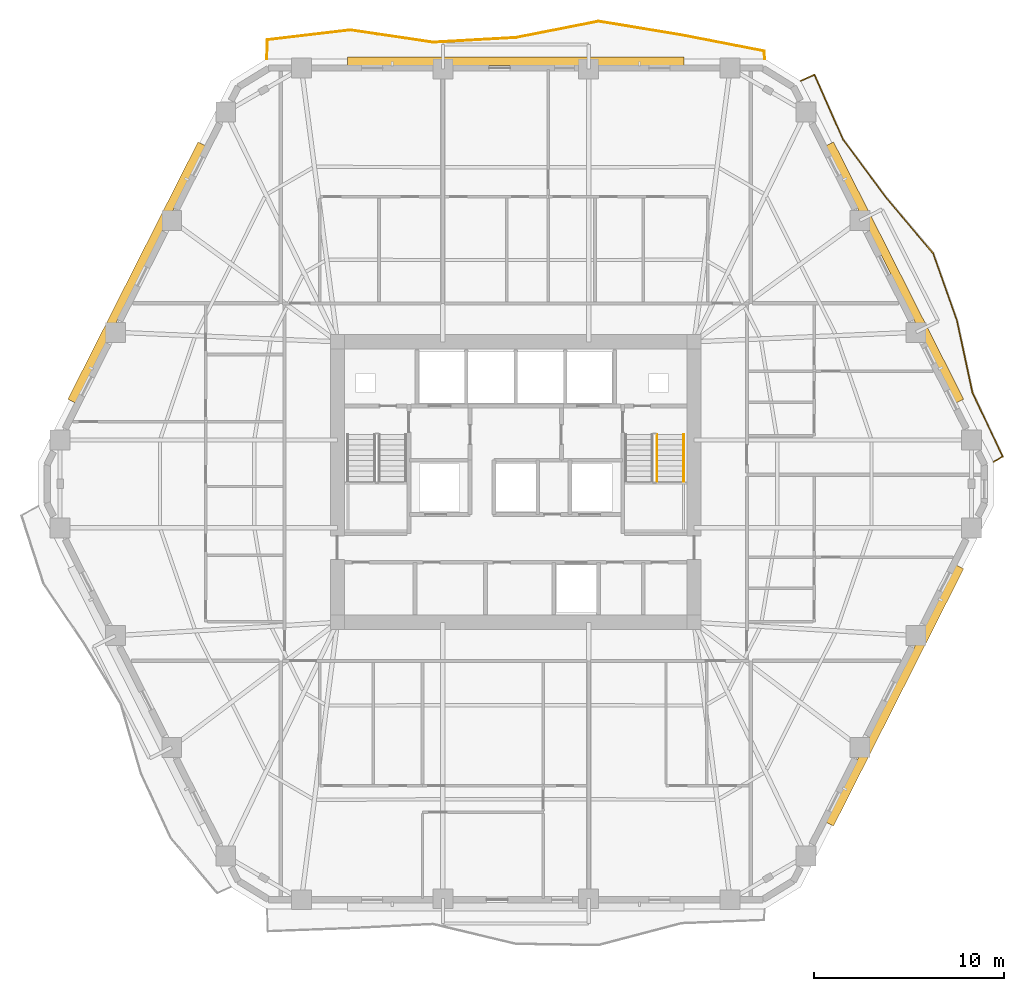
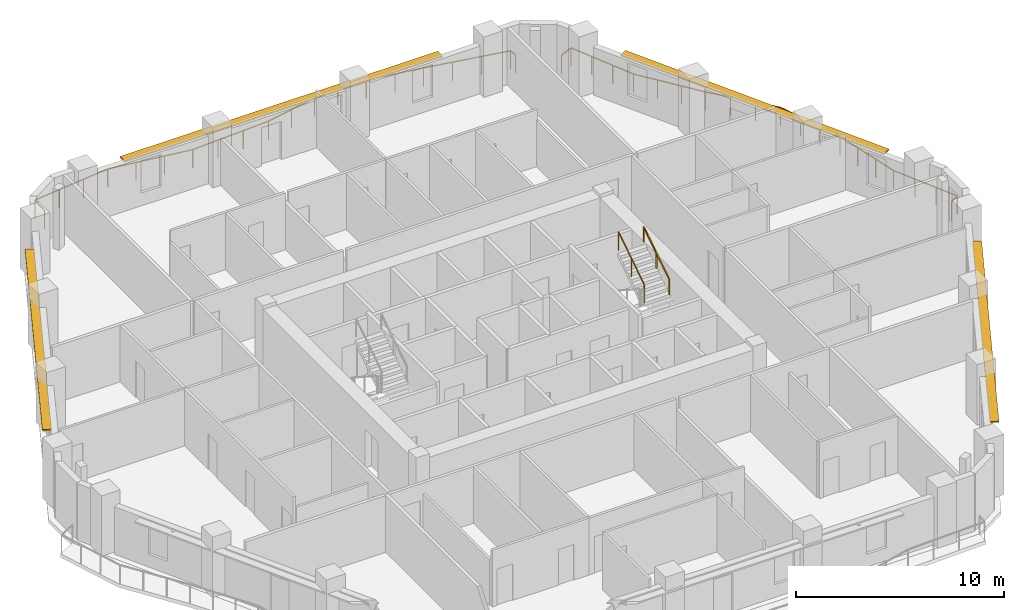
# One storey, part 12 of 12: 4 railings, 4 shading devices.
"""IFC4 building model written with IfcOpenShell, lengths in metres."""

from ifc_helpers import new_model, si_unit, direction, frame, origin, origin_2d, place, context, subcontext, project, spatial, rectangle, extrude, material, layer, layer_set, type_object, element, save


model = new_model("IFC4")

# Units and contexts
model_context = context("Model", 3, precision=1e-05, world=origin(), true_north=direction((0.0, 1.0)))
body_context = subcontext(model_context, "Body", "Model", "MODEL_VIEW")
ifc_project = project(units=[si_unit("LENGTHUNIT", "METRE"), si_unit("AREAUNIT", "SQUARE_METRE"), si_unit("VOLUMEUNIT", "CUBIC_METRE"), si_unit("PLANEANGLEUNIT", "RADIAN"), si_unit("MASSUNIT", "GRAM", prefix="KILO")], contexts=[model_context])

# Site, building, storey
site_placement = place(None, origin())
site = spatial("IfcSite", under=ifc_project, at=site_placement, CompositionType="ELEMENT")
building_placement = place(site_placement, origin())
building = spatial("IfcBuilding", under=site, at=building_placement, Name="Cinnabar Lancet Tower", CompositionType="ELEMENT")
storey_placement = place(building_placement, frame((0.0, 0.0, 109.050048828125)))
storey = spatial("IfcBuildingStorey", under=building, at=storey_placement, Name="L28", CompositionType="ELEMENT", Elevation=109.050048828125)

# Railings
ifc_material_1 = material(Name="Laminated safety glass and bronze stainless steel balustrade", Category="steel")
railing_type_1 = type_object("IfcRailingType", Name="ENV-RLG-BAL-1100", PredefinedType="BALUSTRADE", material=ifc_material_1)
railing_1_placement = place(storey_placement, frame((57.512939453125, 26.9599609375, 0.0)))
element("IfcRailing", 1, at=railing_1_placement, inside=storey, type_object=railing_type_1, Name="L28 Face 3 Wave Balcony Balustrade", PredefinedType="BALUSTRADE", context=body_context, shape_type="SweptSolid", body=[
    extrude(rectangle(XDim=0.048095703125, YDim=0.048095703125, at=origin_2d()), frame((0.0, 0.0, 1.076171875), z_axis=(0.868001583081, 0.496561427991, 0.0), x_axis=(-0.496561427991, 0.868001583081, 0.0)), (0.0, 0.0, 1.0), 0.56005859375),
    extrude(rectangle(XDim=0.048095703125, YDim=0.048095703125, at=origin_2d()), frame((0.486083984375, 0.278076171875, 1.076171875), z_axis=(-0.426530846089, 0.904473016366, 0.0), x_axis=(-0.904473016366, -0.426530846089, 0.0)), (0.0, 0.0, 1.0), 3.732421875),
    extrude(rectangle(XDim=0.048095703125, YDim=0.048095703125, at=origin_2d()), frame((-1.10595703125, 3.654052734375, 1.076171875), z_axis=(-0.20996988102, 0.97770785466, 0.0), x_axis=(-0.97770785466, -0.20996988102, 0.0)), (0.0, 0.0, 1.0), 3.85791015625),
    extrude(rectangle(XDim=0.048095703125, YDim=0.048095703125, at=origin_2d()), frame((-1.916015625, 7.426025390625, 1.076171875), z_axis=(-0.334015416849, 0.942567611, 0.0), x_axis=(-0.942567611, -0.334015416849, 0.0)), (0.0, 0.0, 1.0), 3.759765625),
    extrude(rectangle(XDim=0.048095703125, YDim=0.048095703125, at=origin_2d()), frame((-3.171875, 10.969970703125, 1.076171875), z_axis=(-0.645596897677, 0.763678365354, 0.0), x_axis=(-0.763678365354, -0.645596897677, 0.0)), (0.0, 0.0, 1.0), 3.835205078125),
    extrude(rectangle(XDim=0.048095703125, YDim=0.048095703125, at=origin_2d()), frame((-5.64794921875, 13.89892578125, 1.076171875), z_axis=(-0.595449644763, 0.803392631626, 0.0), x_axis=(-0.803392631626, -0.595449644763, 0.0)), (0.0, 0.0, 1.0), 3.78515625),
    extrude(rectangle(XDim=0.048095703125, YDim=0.048095703125, at=origin_2d()), frame((-7.90185546875, 16.93994140625, 1.076171875), z_axis=(-0.404519672495, 0.914529296723, 0.0), x_axis=(-0.914529296723, -0.404519672495, 0.0)), (0.0, 0.0, 1.0), 3.73779296875),
    extrude(rectangle(XDim=0.048095703125, YDim=0.048095703125, at=origin_2d()), frame((-9.413818359375, 20.358154296875, 1.076171875), z_axis=(-0.910006949039, -0.414592996444, 0.0), x_axis=(0.414592996444, -0.910006949039, 0.0)), (0.0, 0.0, 1.0), 0.79150390625),
    extrude(rectangle(XDim=0.0419921875, YDim=0.0419921875, at=origin_2d()), origin(), (0.0, 0.0, 1.0), 1.052001953125),
    extrude(rectangle(XDim=0.0419921875, YDim=0.0419921875, at=origin_2d()), frame((0.486083984375, 0.278076171875, 0.0)), (0.0, 0.0, 1.0), 1.052001953125),
    extrude(rectangle(XDim=0.0419921875, YDim=0.0419921875, at=origin_2d()), frame((-0.044677734375, 1.4033203125, 0.0)), (0.0, 0.0, 1.0), 1.052001953125),
    extrude(rectangle(XDim=0.0419921875, YDim=0.0419921875, at=origin_2d()), frame((-0.5751953125, 2.52880859375, 0.0)), (0.0, 0.0, 1.0), 1.052001953125),
    extrude(rectangle(XDim=0.0419921875, YDim=0.0419921875, at=origin_2d()), frame((-1.10595703125, 3.654052734375, 0.0)), (0.0, 0.0, 1.0), 1.052001953125),
    extrude(rectangle(XDim=0.0419921875, YDim=0.0419921875, at=origin_2d()), frame((-1.3759765625, 4.911376953125, 0.0)), (0.0, 0.0, 1.0), 1.052001953125),
    extrude(rectangle(XDim=0.0419921875, YDim=0.0419921875, at=origin_2d()), frame((-1.64599609375, 6.168701171875, 0.0)), (0.0, 0.0, 1.0), 1.052001953125),
    extrude(rectangle(XDim=0.0419921875, YDim=0.0419921875, at=origin_2d()), frame((-1.916015625, 7.426025390625, 0.0)), (0.0, 0.0, 1.0), 1.052001953125),
    extrude(rectangle(XDim=0.0419921875, YDim=0.0419921875, at=origin_2d()), frame((-2.334716796875, 8.607421875, 0.0)), (0.0, 0.0, 1.0), 1.052001953125),
    extrude(rectangle(XDim=0.0419921875, YDim=0.0419921875, at=origin_2d()), frame((-2.753173828125, 9.78857421875, 0.0)), (0.0, 0.0, 1.0), 1.052001953125),
    extrude(rectangle(XDim=0.0419921875, YDim=0.0419921875, at=origin_2d()), frame((-3.171875, 10.969970703125, 0.0)), (0.0, 0.0, 1.0), 1.052001953125),
    extrude(rectangle(XDim=0.0419921875, YDim=0.0419921875, at=origin_2d()), frame((-3.997314453125, 11.9462890625, 0.0)), (0.0, 0.0, 1.0), 1.052001953125),
    extrude(rectangle(XDim=0.0419921875, YDim=0.0419921875, at=origin_2d()), frame((-4.822509765625, 12.922607421875, 0.0)), (0.0, 0.0, 1.0), 1.052001953125),
    extrude(rectangle(XDim=0.0419921875, YDim=0.0419921875, at=origin_2d()), frame((-5.64794921875, 13.89892578125, 0.0)), (0.0, 0.0, 1.0), 1.052001953125),
    extrude(rectangle(XDim=0.0419921875, YDim=0.0419921875, at=origin_2d()), frame((-6.399169921875, 14.91259765625, 0.0)), (0.0, 0.0, 1.0), 1.052001953125),
    extrude(rectangle(XDim=0.0419921875, YDim=0.0419921875, at=origin_2d()), frame((-7.150634765625, 15.92626953125, 0.0)), (0.0, 0.0, 1.0), 1.052001953125),
    extrude(rectangle(XDim=0.0419921875, YDim=0.0419921875, at=origin_2d()), frame((-7.90185546875, 16.93994140625, 0.0)), (0.0, 0.0, 1.0), 1.052001953125),
    extrude(rectangle(XDim=0.0419921875, YDim=0.0419921875, at=origin_2d()), frame((-8.40576171875, 18.079345703125, 0.0)), (0.0, 0.0, 1.0), 1.052001953125),
    extrude(rectangle(XDim=0.0419921875, YDim=0.0419921875, at=origin_2d()), frame((-8.909912109375, 19.21875, 0.0)), (0.0, 0.0, 1.0), 1.052001953125),
    extrude(rectangle(XDim=0.0419921875, YDim=0.0419921875, at=origin_2d()), frame((-9.413818359375, 20.358154296875, 0.0)), (0.0, 0.0, 1.0), 1.052001953125),
    extrude(rectangle(XDim=0.0419921875, YDim=0.0419921875, at=origin_2d()), frame((-10.134033203125, 20.030029296875, 0.0)), (0.0, 0.0, 1.0), 1.052001953125),
])
railing_2_placement = place(storey_placement, frame((45.491943359375, 48.14990234375, 0.0)))
element("IfcRailing", 2, at=railing_2_placement, inside=storey, type_object=railing_type_1, Name="L28 Face 4 Wave Balcony Balustrade", PredefinedType="BALUSTRADE", context=body_context, shape_type="SweptSolid", body=[
    extrude(rectangle(XDim=0.048095703125, YDim=0.048095703125, at=origin_2d()), frame((0.0, 0.0, 1.076171875), z_axis=(-0.085013313604, 0.996379815387, 0.0), x_axis=(-0.996379815387, -0.085013313604, 0.0)), (0.0, 0.0, 1.0), 0.41064453125),
    extrude(rectangle(XDim=0.048095703125, YDim=0.048095703125, at=origin_2d()), frame((-0.034912109375, 0.4091796875, 1.076171875), z_axis=(-0.981552878172, 0.191190866287, 0.0), x_axis=(-0.191190866287, -0.981552878172, 0.0)), (0.0, 0.0, 1.0), 4.434814453125),
    extrude(rectangle(XDim=0.048095703125, YDim=0.048095703125, at=origin_2d()), frame((-4.387939453125, 1.257080078125, 1.076171875), z_axis=(-0.986661869028, 0.162783157007, 0.0), x_axis=(-0.162783157007, -0.986661869028, 0.0)), (0.0, 0.0, 1.0), 4.410888671875),
    extrude(rectangle(XDim=0.048095703125, YDim=0.048095703125, at=origin_2d()), frame((-8.739990234375, 1.97509765625, 1.076171875), z_axis=(-0.981160605094, -0.193193858627, 0.0), x_axis=(0.193193858627, -0.981160605094, 0.0)), (0.0, 0.0, 1.0), 4.435546875),
    extrude(rectangle(XDim=0.048095703125, YDim=0.048095703125, at=origin_2d()), frame((-13.092041015625, 1.1181640625, 1.076171875), z_axis=(-0.998404170939, -0.056472218411, 0.0), x_axis=(0.056472218411, -0.998404170939, 0.0)), (0.0, 0.0, 1.0), 4.357666015625),
    extrude(rectangle(XDim=0.048095703125, YDim=0.048095703125, at=origin_2d()), frame((-17.44287109375, 0.8720703125, 1.076171875), z_axis=(-0.989199291683, 0.146576810355, 0.0), x_axis=(-0.146576810355, -0.989199291683, 0.0)), (0.0, 0.0, 1.0), 4.400634765625),
    extrude(rectangle(XDim=0.048095703125, YDim=0.048095703125, at=origin_2d()), frame((-21.7958984375, 1.51708984375, 1.076171875), z_axis=(-0.99308010596, -0.117438933692, 0.0), x_axis=(0.117438933692, -0.99308010596, 0.0)), (0.0, 0.0, 1.0), 4.38427734375),
    extrude(rectangle(XDim=0.048095703125, YDim=0.048095703125, at=origin_2d()), frame((-26.14990234375, 1.002197265625, 1.076171875), z_axis=(-0.033841749415, -0.999427203951, 0.0), x_axis=(0.999427203951, -0.033841749415, 0.0)), (0.0, 0.0, 1.0), 1.002685546875),
    extrude(rectangle(XDim=0.0419921875, YDim=0.0419921875, at=origin_2d()), origin(), (0.0, 0.0, 1.0), 1.052001953125),
    extrude(rectangle(XDim=0.0419921875, YDim=0.0419921875, at=origin_2d()), frame((-0.034912109375, 0.4091796875, 0.0)), (0.0, 0.0, 1.0), 1.052001953125),
    extrude(rectangle(XDim=0.0419921875, YDim=0.0419921875, at=origin_2d()), frame((-1.48583984375, 0.69189453125, 0.0)), (0.0, 0.0, 1.0), 1.052001953125),
    extrude(rectangle(XDim=0.0419921875, YDim=0.0419921875, at=origin_2d()), frame((-2.93701171875, 0.974365234375, 0.0)), (0.0, 0.0, 1.0), 1.052001953125),
    extrude(rectangle(XDim=0.0419921875, YDim=0.0419921875, at=origin_2d()), frame((-4.387939453125, 1.257080078125, 0.0)), (0.0, 0.0, 1.0), 1.052001953125),
    extrude(rectangle(XDim=0.0419921875, YDim=0.0419921875, at=origin_2d()), frame((-5.838623046875, 1.496337890625, 0.0)), (0.0, 0.0, 1.0), 1.052001953125),
    extrude(rectangle(XDim=0.0419921875, YDim=0.0419921875, at=origin_2d()), frame((-7.289306640625, 1.73583984375, 0.0)), (0.0, 0.0, 1.0), 1.052001953125),
    extrude(rectangle(XDim=0.0419921875, YDim=0.0419921875, at=origin_2d()), frame((-8.739990234375, 1.97509765625, 0.0)), (0.0, 0.0, 1.0), 1.052001953125),
    extrude(rectangle(XDim=0.0419921875, YDim=0.0419921875, at=origin_2d()), frame((-10.190673828125, 1.689453125, 0.0)), (0.0, 0.0, 1.0), 1.052001953125),
    extrude(rectangle(XDim=0.0419921875, YDim=0.0419921875, at=origin_2d()), frame((-11.641357421875, 1.40380859375, 0.0)), (0.0, 0.0, 1.0), 1.052001953125),
    extrude(rectangle(XDim=0.0419921875, YDim=0.0419921875, at=origin_2d()), frame((-13.092041015625, 1.1181640625, 0.0)), (0.0, 0.0, 1.0), 1.052001953125),
    extrude(rectangle(XDim=0.0419921875, YDim=0.0419921875, at=origin_2d()), frame((-14.542236328125, 1.0361328125, 0.0)), (0.0, 0.0, 1.0), 1.052001953125),
    extrude(rectangle(XDim=0.0419921875, YDim=0.0419921875, at=origin_2d()), frame((-15.99267578125, 0.9541015625, 0.0)), (0.0, 0.0, 1.0), 1.052001953125),
    extrude(rectangle(XDim=0.0419921875, YDim=0.0419921875, at=origin_2d()), frame((-17.44287109375, 0.8720703125, 0.0)), (0.0, 0.0, 1.0), 1.052001953125),
    extrude(rectangle(XDim=0.0419921875, YDim=0.0419921875, at=origin_2d()), frame((-18.893798828125, 1.087158203125, 0.0)), (0.0, 0.0, 1.0), 1.052001953125),
    extrude(rectangle(XDim=0.0419921875, YDim=0.0419921875, at=origin_2d()), frame((-20.344970703125, 1.302001953125, 0.0)), (0.0, 0.0, 1.0), 1.052001953125),
    extrude(rectangle(XDim=0.0419921875, YDim=0.0419921875, at=origin_2d()), frame((-21.7958984375, 1.51708984375, 0.0)), (0.0, 0.0, 1.0), 1.052001953125),
    extrude(rectangle(XDim=0.0419921875, YDim=0.0419921875, at=origin_2d()), frame((-23.247314453125, 1.345458984375, 0.0)), (0.0, 0.0, 1.0), 1.052001953125),
    extrude(rectangle(XDim=0.0419921875, YDim=0.0419921875, at=origin_2d()), frame((-24.698486328125, 1.173828125, 0.0)), (0.0, 0.0, 1.0), 1.052001953125),
    extrude(rectangle(XDim=0.0419921875, YDim=0.0419921875, at=origin_2d()), frame((-26.14990234375, 1.002197265625, 0.0)), (0.0, 0.0, 1.0), 1.052001953125),
    extrude(rectangle(XDim=0.0419921875, YDim=0.0419921875, at=origin_2d()), frame((-26.183837890625, 0.0, 0.0)), (0.0, 0.0, 1.0), 1.052001953125),
])

# Shading devices
ifc_material_2 = material(Name="Pale limestone architectural aluminium sunshade", Category="masonry")
ifc_layer = layer(ifc_material_2, 0.080078125)
ifc_layer_set = layer_set([ifc_layer], Name="Pale limestone architectural aluminium sunshade")
shading_device_type = type_object("IfcShadingDeviceType", Name="ENV-SHD-LVR-450", PredefinedType="JALOUSIE", material=ifc_layer_set)
for number, where, z_axis, x_axis, name in (
    (3, (52.327880859375, 14.680908203125, 2.639892578125), (0.0, 0.0, 1.0), (0.451453853408, 0.892294468347, 0.0), "L28 Face 2 Horizontal Sunshade Canopy"),
    (4, (52.327880859375, 36.9189453125, 2.639892578125), (0.0, 0.0, 1.0), (-0.451453853408, 0.892294468347, 0.0), "L28 Face 3 Horizontal Sunshade Canopy"),
):
    element("IfcShadingDevice", number, at=place(storey_placement, frame(where, z_axis=z_axis, x_axis=x_axis)), inside=storey, type_object=shading_device_type, Name=name, PredefinedType="JALOUSIE", context=body_context, shape_type="SweptSolid", body=[
        extrude(rectangle(XDim=15.156982421875, YDim=0.449951171875, at=origin_2d()), origin(), (0.0, 0.0, 1.0), 0.080078125),
    ])
shading_device_1_placement = place(storey_placement, frame((32.39990234375, 48.02001953125, 2.639892578125), z_axis=(0.0, 0.0, 1.0), x_axis=(-1.0, 0.0, 0.0)))
element("IfcShadingDevice", 5, at=shading_device_1_placement, inside=storey, type_object=shading_device_type, Name="L28 Face 4 Horizontal Sunshade Canopy", PredefinedType="JALOUSIE", context=body_context, shape_type="SweptSolid", body=[
    extrude(rectangle(XDim=17.68310546875, YDim=0.449951171875, at=origin_2d()), origin(), (0.0, 0.0, 1.0), 0.080078125),
])
shading_device_2_placement = place(storey_placement, frame((12.471923828125, 36.9189453125, 2.639892578125), z_axis=(0.0, 0.0, 1.0), x_axis=(-0.451453853408, -0.892294468347, 0.0)))
element("IfcShadingDevice", 6, at=shading_device_2_placement, inside=storey, type_object=shading_device_type, Name="L28 Face 5 Horizontal Sunshade Canopy", PredefinedType="JALOUSIE", context=body_context, shape_type="SweptSolid", body=[
    extrude(rectangle(XDim=15.156982421875, YDim=0.449951171875, at=origin_2d()), origin(), (0.0, 0.0, 1.0), 0.080078125),
])

# Railings
ifc_material_3 = material(Name="Painted galvanized steel balustrade", Category="steel")
railing_type_2 = type_object("IfcRailingType", Name="GUARD-STAIR", PredefinedType="GUARDRAIL", material=ifc_material_3)
railing_3_placement = place(storey_placement, frame((39.824951171875, 25.925048828125, 1.952392578125)))
element("IfcRailing", 7, at=railing_3_placement, inside=storey, type_object=railing_type_2, Name="L28 ST-2 stair guard 3", PredefinedType="GUARDRAIL", context=body_context, shape_type="SweptSolid", body=[
    extrude(rectangle(XDim=0.048095703125, YDim=0.048095703125, at=origin_2d()), frame((0.0, 0.0, 1.076171875), z_axis=(0.0, 0.84014559416, 0.542360932049), x_axis=(-1.0, 0.0, 0.0)), (0.0, 0.0, 1.0), 2.94580078125),
    extrude(rectangle(XDim=0.0419921875, YDim=0.0419921875, at=origin_2d()), origin(), (0.0, 0.0, 1.0), 1.052001953125),
    extrude(rectangle(XDim=0.0419921875, YDim=0.0419921875, at=origin_2d()), frame((0.0, 1.2373046875, 0.798828125)), (0.0, 0.0, 1.0), 1.052001953125),
    extrude(rectangle(XDim=0.0419921875, YDim=0.0419921875, at=origin_2d()), frame((0.0, 2.474853515625, 1.59765625)), (0.0, 0.0, 1.0), 1.052001953125),
])
ifc_material_4 = material(Name="Brushed stainless steel handrail", Category="steel")
railing_type_3 = type_object("IfcRailingType", Name="HANDRAIL-STAIR", PredefinedType="HANDRAIL", material=ifc_material_4)
railing_4_placement = place(storey_placement, frame((41.22509765625, 25.925048828125, 1.952392578125)))
element("IfcRailing", 8, at=railing_4_placement, inside=storey, type_object=railing_type_3, Name="L28 ST-2 stair handrail 2", PredefinedType="HANDRAIL", context=body_context, shape_type="SweptSolid", body=[
    extrude(rectangle(XDim=0.048095703125, YDim=0.048095703125, at=origin_2d()), frame((0.0, 0.0, 0.8759765625), z_axis=(0.0, 0.84014559416, 0.542360932049), x_axis=(-1.0, 0.0, 0.0)), (0.0, 0.0, 1.0), 2.94580078125),
    extrude(rectangle(XDim=0.0419921875, YDim=0.0419921875, at=origin_2d()), origin(), (0.0, 0.0, 1.0), 0.851806640625),
    extrude(rectangle(XDim=0.0419921875, YDim=0.0419921875, at=origin_2d()), frame((0.0, 1.2373046875, 0.798828125)), (0.0, 0.0, 1.0), 0.851806640625),
    extrude(rectangle(XDim=0.0419921875, YDim=0.0419921875, at=origin_2d()), frame((0.0, 2.474853515625, 1.59765625)), (0.0, 0.0, 1.0), 0.851806640625),
])

save(model, "model.ifc")
